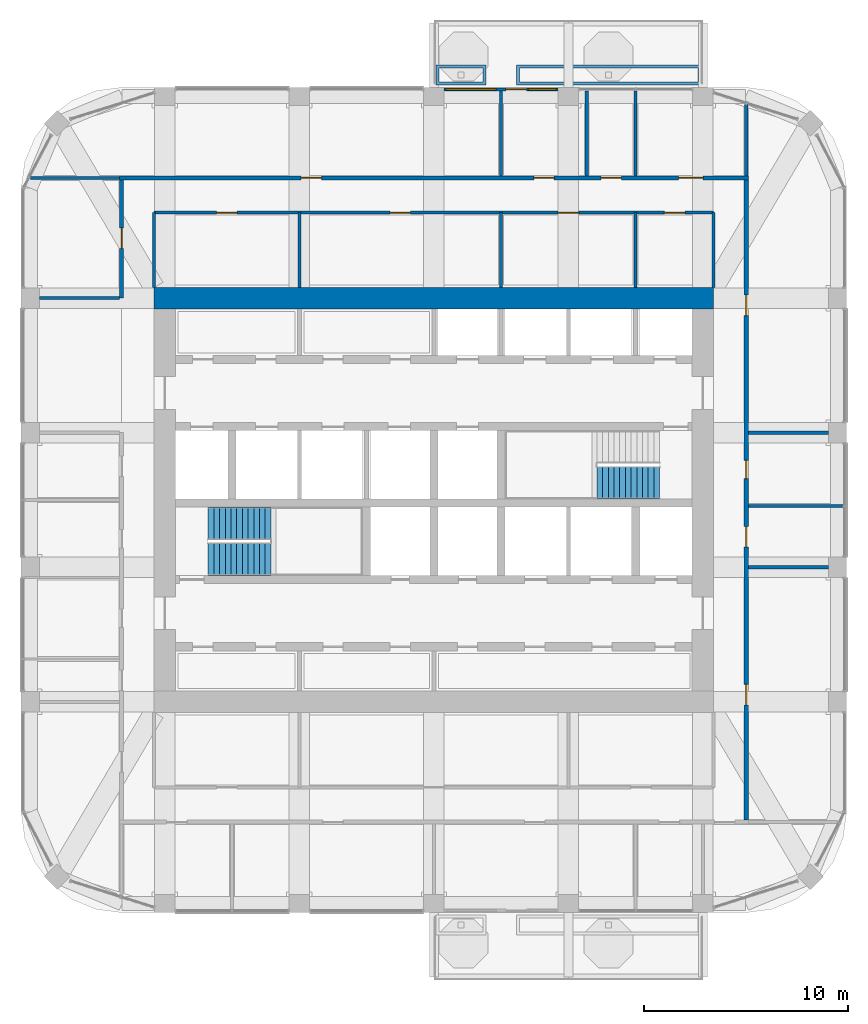
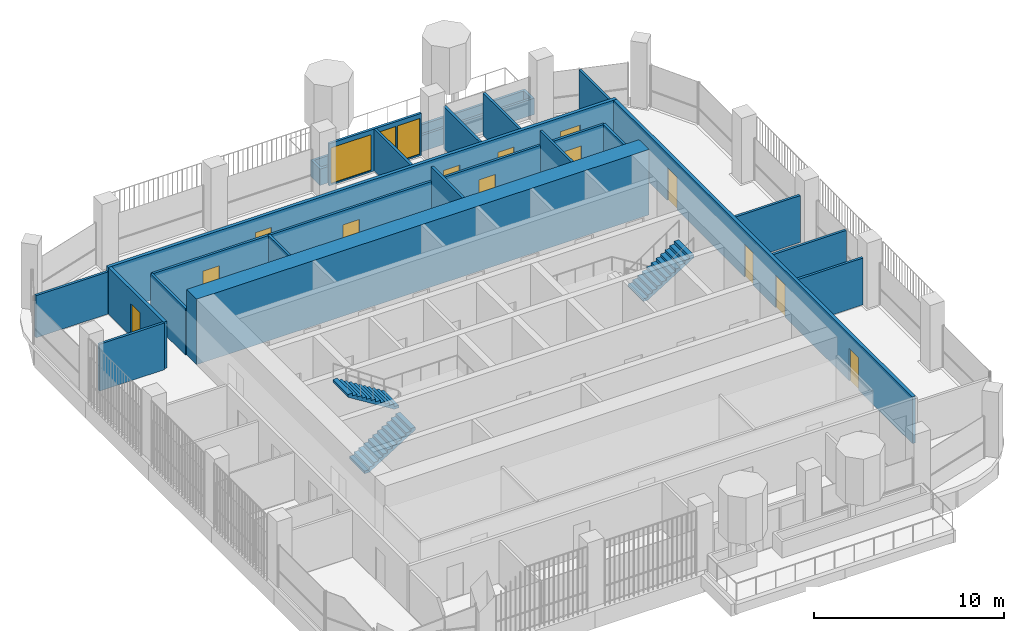
# One storey, part 16 of 21: 22 walls, 14 doors, 3 stair flights, 2 windows, 16 openings, 2 elements without a shape of their own.
"""IFC4 building model written with IfcOpenShell, lengths in metres."""

from ifc_helpers import new_model, si_unit, direction, frame, frame_2d, origin, place, context, subcontext, project, spatial, polyline, rectangle, outline, extrude, material, layer, layer_set, type_object, element, fill, aggregate, save


model = new_model("IFC4")

# Units and contexts
model_context = context("Model", 3, precision=1e-05, world=origin(), true_north=direction((0.0, 1.0)))
body_context = subcontext(model_context, "Body", "Model", "MODEL_VIEW")
ifc_project = project(units=[si_unit("LENGTHUNIT", "METRE"), si_unit("AREAUNIT", "SQUARE_METRE"), si_unit("VOLUMEUNIT", "CUBIC_METRE"), si_unit("PLANEANGLEUNIT", "RADIAN"), si_unit("MASSUNIT", "GRAM", prefix="KILO")], contexts=[model_context])

# Site, building, storey
site_placement = place(None, origin())
site = spatial("IfcSite", under=ifc_project, at=site_placement, CompositionType="ELEMENT")
building_placement = place(site_placement, origin())
building = spatial("IfcBuilding", under=site, at=building_placement, Name="Cobogo Forest Laboratory Tower", CompositionType="ELEMENT")
storey_placement = place(building_placement, frame((0.0, 0.0, 283.800048828125)))
storey = spatial("IfcBuildingStorey", under=building, at=storey_placement, Name="L65", CompositionType="ELEMENT", Elevation=283.800048828125)

# Wall
ifc_material_1 = material(Name="Concrete HA-50 (C50/60)", Category="concrete")
ifc_layer_1 = layer(ifc_material_1, 1.050048828125)
ifc_layer_set_1 = layer_set([ifc_layer_1], Name="CW1050 core outer wall 1050")
wall_type_1 = type_object("IfcWallType", Name="CW1050 core outer wall 1050", PredefinedType="SHEAR", material=ifc_layer_set_1)
wall_1_placement = place(storey_placement, frame((40.125, 33.0, 0.0), z_axis=(0.0, 0.0, 1.0), x_axis=(-1.0, 0.0, 0.0)))
element("IfcWall", 1, at=wall_1_placement, inside=storey, type_object=wall_type_1, Name="Core wall CO-N L65", PredefinedType="SHEAR", context=body_context, shape_type="SweptSolid", body=[
    extrude(rectangle(XDim=27.449951171875, YDim=1.050048828125, at=frame_2d((13.72509765625, 0.0))), origin(), (0.0, 0.0, 1.0), 4.199951171875),
])

# Wall, openings, door, windows
ifc_material_2 = material(Name="Aluminium framed glazed screen", Category="aluminium")
ifc_layer_2 = layer(ifc_material_2, 0.14990234375)
ifc_layer_set_2 = layer_set([ifc_layer_2], Name="GS1 glazed door screen 150")
wall_type_2 = type_object("IfcWallType", Name="GS1 glazed door screen 150", PredefinedType="SOLIDWALL", material=ifc_layer_set_2)
wall_2_placement = place(storey_placement, frame((32.5, 43.25, 0.0), z_axis=(0.0, 0.0, 1.0), x_axis=(-1.0, 0.0, 0.0)))
wall_2 = element("IfcWall", 2, at=wall_2_placement, inside=storey, type_object=wall_type_2, Name="Door screen BAL-N1 L65", PredefinedType="SOLIDWALL", context=body_context, shape_type="SweptSolid", body=[
    extrude(rectangle(XDim=5.60009765625, YDim=0.14990234375, at=frame_2d((2.800048828125, 0.0))), origin(), (0.0, 0.0, 1.0), 2.699951171875),
])
opening_1_placement = place(wall_2_placement, frame((1.550048828125, 0.0, 0.0)))
opening_1 = element("IfcOpeningElement", 3, at=opening_1_placement, cuts=wall_2, Name="Opening L65-D48", PredefinedType="OPENING", context=body_context, shape_type="SweptSolid", body=[
    extrude(rectangle(XDim=1.0, YDim=2.39990234375, at=frame_2d((0.5, 1.199951171875))), frame((0.0, 0.0849609375, 0.0), z_axis=(0.0, -1.0, 0.0), x_axis=(1.0, 0.0, 0.0)), (0.0, 0.0, 1.0), 0.169921875),
])
opening_2_placement = place(wall_2_placement, frame((0.10009765625, 0.0, 0.10009765625)))
opening_2 = element("IfcOpeningElement", 4, at=opening_2_placement, cuts=wall_2, Name="Opening L65-W04", PredefinedType="OPENING", context=body_context, shape_type="SweptSolid", body=[
    extrude(rectangle(XDim=1.35009765625, YDim=2.300048828125, at=frame_2d((0.675048828125, 1.14990234375))), frame((0.0, 0.0849609375, 0.0), z_axis=(0.0, -1.0, 0.0), x_axis=(1.0, 0.0, 0.0)), (0.0, 0.0, 1.0), 0.169921875),
])
opening_3_placement = place(wall_2_placement, frame((3.050048828125, 0.0, 0.10009765625)))
opening_3 = element("IfcOpeningElement", 5, at=opening_3_placement, cuts=wall_2, Name="Opening L65-W03", PredefinedType="OPENING", context=body_context, shape_type="SweptSolid", body=[
    extrude(rectangle(XDim=2.449951171875, YDim=2.300048828125, at=frame_2d((1.22509765625, 1.14990234375))), frame((0.0, 0.0849609375, 0.0), z_axis=(0.0, -1.0, 0.0), x_axis=(1.0, 0.0, 0.0)), (0.0, 0.0, 1.0), 0.169921875),
])
ifc_material_3 = material(Name="Aluminium glazed door", Category="aluminium")
door_type_1 = type_object("IfcDoorType", Name="DB1 balcony door 1000 glazed", OperationType="SINGLE_SWING_LEFT", PredefinedType="DOOR", material=ifc_material_3)
door_1_placement = place(opening_1_placement, origin())
door_1 = element("IfcDoor", 6, at=door_1_placement, inside=storey, type_object=door_type_1, Name="Door L65-BAL-N1", OperationType="SINGLE_SWING_LEFT", OverallHeight=2.39990234375, OverallWidth=1.0, PredefinedType="DOOR", context=body_context, shape_type="SweptSolid", body=[
    extrude(rectangle(XDim=1.0, YDim=2.39990234375, at=frame_2d((0.5, 1.199951171875))), frame((0.0, 0.02490234375, 0.0), z_axis=(0.0, -1.0, 0.0), x_axis=(1.0, 0.0, 0.0)), (0.0, 0.0, 1.0), 0.050048828125),
])
fill(opening_1, door_1)
ifc_material_4 = material(Name="Aluminium framed glazing", Category="aluminium")
window_type_1 = type_object("IfcWindowType", Name="WG23 fixed glazed light 2450x2300", PartitioningType="SINGLE_PANEL", PredefinedType="WINDOW", material=ifc_material_4)
window_1_placement = place(opening_3_placement, origin())
window_1 = element("IfcWindow", 7, at=window_1_placement, inside=storey, type_object=window_type_1, Name="Window L65-BAL-N1-2", OverallHeight=2.300048828125, OverallWidth=2.449951171875, PartitioningType="SINGLE_PANEL", PredefinedType="WINDOW", context=body_context, shape_type="SweptSolid", body=[
    extrude(rectangle(XDim=2.449951171875, YDim=2.300048828125, at=frame_2d((1.22509765625, 1.14990234375))), frame((0.0, 0.030029296875, 0.0), z_axis=(0.0, -1.0, 0.0), x_axis=(1.0, 0.0, 0.0)), (0.0, 0.0, 1.0), 0.06005859375),
])
fill(opening_3, window_1)
window_type_2 = type_object("IfcWindowType", Name="WG24 fixed glazed light 1350x2300", PartitioningType="SINGLE_PANEL", PredefinedType="WINDOW", material=ifc_material_4)
window_2_placement = place(opening_2_placement, origin())
window_2 = element("IfcWindow", 8, at=window_2_placement, inside=storey, type_object=window_type_2, Name="Window L65-BAL-N1-1", OverallHeight=2.300048828125, OverallWidth=1.35009765625, PartitioningType="SINGLE_PANEL", PredefinedType="WINDOW", context=body_context, shape_type="SweptSolid", body=[
    extrude(rectangle(XDim=1.35009765625, YDim=2.300048828125, at=frame_2d((0.675048828125, 1.14990234375))), frame((0.0, 0.030029296875, 0.0), z_axis=(0.0, -1.0, 0.0), x_axis=(1.0, 0.0, 0.0)), (0.0, 0.0, 1.0), 0.06005859375),
])
fill(opening_2, window_2)

# Wall, openings, doors
ifc_material_5 = material(Name="Gypsum board on steel studs", Category="steel")
ifc_layer_3 = layer(ifc_material_5, 0.14990234375)
ifc_layer_set_3 = layer_set([ifc_layer_3], Name="PT1 laboratory partition 150")
wall_type_3 = type_object("IfcWallType", Name="PT1 laboratory partition 150", PredefinedType="PARTITIONING", material=ifc_layer_set_3)
wall_3_placement = place(storey_placement, frame((12.675048828125, 37.199951171875, 0.0), z_axis=(0.0, 0.0, 1.0), x_axis=(1.0, 0.0, 0.0)))
wall_3 = element("IfcWall", 9, at=wall_3_placement, inside=storey, type_object=wall_type_3, Name="Partition CSTRIP-N L65", PredefinedType="PARTITIONING", context=body_context, shape_type="SweptSolid", body=[
    extrude(rectangle(XDim=27.449951171875, YDim=0.14990234375, at=frame_2d((13.72509765625, 0.0))), origin(), (0.0, 0.0, 1.0), 3.0),
])
opening_4_placement = place(wall_3_placement, frame((3.0625, 0.0, 0.0)))
opening_4 = element("IfcOpeningElement", 10, at=opening_4_placement, cuts=wall_3, Name="Opening L65-D40", PredefinedType="OPENING", context=body_context, shape_type="SweptSolid", body=[
    extrude(rectangle(XDim=1.0, YDim=2.10009765625, at=frame_2d((0.5, 1.050048828125))), frame((0.0, 0.0849609375, 0.0), z_axis=(0.0, -1.0, 0.0), x_axis=(1.0, 0.0, 0.0)), (0.0, 0.0, 1.0), 0.169921875),
])
opening_5_placement = place(wall_3_placement, frame((11.574951171875, 0.0, 0.0)))
opening_5 = element("IfcOpeningElement", 11, at=opening_5_placement, cuts=wall_3, Name="Opening L65-D41", PredefinedType="OPENING", context=body_context, shape_type="SweptSolid", body=[
    extrude(rectangle(XDim=1.0, YDim=2.10009765625, at=frame_2d((0.5, 1.050048828125))), frame((0.0, 0.0849609375, 0.0), z_axis=(0.0, -1.0, 0.0), x_axis=(1.0, 0.0, 0.0)), (0.0, 0.0, 1.0), 0.169921875),
])
opening_6_placement = place(wall_3_placement, frame((19.824951171875, 0.0, 0.0)))
opening_6 = element("IfcOpeningElement", 12, at=opening_6_placement, cuts=wall_3, Name="Opening L65-D42", PredefinedType="OPENING", context=body_context, shape_type="SweptSolid", body=[
    extrude(rectangle(XDim=1.0, YDim=2.10009765625, at=frame_2d((0.5, 1.050048828125))), frame((0.0, 0.0849609375, 0.0), z_axis=(0.0, -1.0, 0.0), x_axis=(1.0, 0.0, 0.0)), (0.0, 0.0, 1.0), 0.169921875),
])
opening_7_placement = place(wall_3_placement, frame((25.03759765625, 0.0, 0.0)))
opening_7 = element("IfcOpeningElement", 13, at=opening_7_placement, cuts=wall_3, Name="Opening L65-D43", PredefinedType="OPENING", context=body_context, shape_type="SweptSolid", body=[
    extrude(rectangle(XDim=1.0, YDim=2.10009765625, at=frame_2d((0.5, 1.050048828125))), frame((0.0, 0.0849609375, 0.0), z_axis=(0.0, -1.0, 0.0), x_axis=(1.0, 0.0, 0.0)), (0.0, 0.0, 1.0), 0.169921875),
])
ifc_material_6 = material(Name="Timber fire door", Category="wood")
door_type_2 = type_object("IfcDoorType", Name="FD2 fire door 1000 EI2 30", OperationType="SINGLE_SWING_LEFT", PredefinedType="DOOR", material=ifc_material_6)
door_2_placement = place(opening_4_placement, origin())
door_2 = element("IfcDoor", 14, at=door_2_placement, inside=storey, type_object=door_type_2, Name="Door L65-CSN1", OperationType="SINGLE_SWING_LEFT", OverallHeight=2.10009765625, OverallWidth=1.0, PredefinedType="DOOR", context=body_context, shape_type="SweptSolid", body=[
    extrude(rectangle(XDim=1.0, YDim=2.10009765625, at=frame_2d((0.5, 1.050048828125))), frame((0.0, 0.02490234375, 0.0), z_axis=(0.0, -1.0, 0.0), x_axis=(1.0, 0.0, 0.0)), (0.0, 0.0, 1.0), 0.050048828125),
])
fill(opening_4, door_2)
door_3_placement = place(opening_5_placement, origin())
door_3 = element("IfcDoor", 15, at=door_3_placement, inside=storey, type_object=door_type_2, Name="Door L65-CSN2", OperationType="SINGLE_SWING_LEFT", OverallHeight=2.10009765625, OverallWidth=1.0, PredefinedType="DOOR", context=body_context, shape_type="SweptSolid", body=[
    extrude(rectangle(XDim=1.0, YDim=2.10009765625, at=frame_2d((0.5, 1.050048828125))), frame((0.0, 0.02490234375, 0.0), z_axis=(0.0, -1.0, 0.0), x_axis=(1.0, 0.0, 0.0)), (0.0, 0.0, 1.0), 0.050048828125),
])
fill(opening_5, door_3)
door_4_placement = place(opening_6_placement, origin())
door_4 = element("IfcDoor", 16, at=door_4_placement, inside=storey, type_object=door_type_2, Name="Door L65-CSN3", OperationType="SINGLE_SWING_RIGHT", OverallHeight=2.10009765625, OverallWidth=1.0, PredefinedType="DOOR", context=body_context, shape_type="SweptSolid", body=[
    extrude(rectangle(XDim=1.0, YDim=2.10009765625, at=frame_2d((0.5, 1.050048828125))), frame((0.0, 0.02490234375, 0.0), z_axis=(0.0, -1.0, 0.0), x_axis=(1.0, 0.0, 0.0)), (0.0, 0.0, 1.0), 0.050048828125),
])
fill(opening_6, door_4)
door_5_placement = place(opening_7_placement, origin())
door_5 = element("IfcDoor", 17, at=door_5_placement, inside=storey, type_object=door_type_2, Name="Door L65-CSN4", OperationType="SINGLE_SWING_RIGHT", OverallHeight=2.10009765625, OverallWidth=1.0, PredefinedType="DOOR", context=body_context, shape_type="SweptSolid", body=[
    extrude(rectangle(XDim=1.0, YDim=2.10009765625, at=frame_2d((0.5, 1.050048828125))), frame((0.0, 0.02490234375, 0.0), z_axis=(0.0, -1.0, 0.0), x_axis=(1.0, 0.0, 0.0)), (0.0, 0.0, 1.0), 0.050048828125),
])
fill(opening_7, door_5)

# Walls
for number, where, z_axis, x_axis, name in (
    (18, (12.675048828125, 33.52490234375, 0.0), (0.0, 0.0, 1.0), (0.0, 1.0, 0.0), "Partition CSTRIP-NW L65"),
    (19, (40.125, 33.52490234375, 0.0), (0.0, 0.0, 1.0), (0.0, 1.0, 0.0), "Partition CSTRIP-NE L65"),
    (20, (19.800048828125, 33.52490234375, 0.0), (0.0, 0.0, 1.0), (0.0, 1.0, 0.0), "Partition CSTRIP-N19.8 L65"),
):
    element("IfcWall", number, at=place(storey_placement, frame(where, z_axis=z_axis, x_axis=x_axis)), inside=storey, type_object=wall_type_3, Name=name, PredefinedType="PARTITIONING", context=body_context, shape_type="SweptSolid", body=[
        extrude(rectangle(XDim=3.675048828125, YDim=0.14990234375, at=frame_2d((1.83740234375, 0.0))), origin(), (0.0, 0.0, 1.0), 3.0),
    ])
for number, where, z_axis, x_axis, name in (
    (21, (29.699951171875, 33.52490234375, 0.0), (0.0, 0.0, 1.0), (0.0, 1.0, 0.0), "Partition CSTRIP-N29.7 L65"),
    (22, (36.300048828125, 33.52490234375, 0.0), (0.0, 0.0, 1.0), (0.0, 1.0, 0.0), "Partition CSTRIP-N36.3 L65"),
):
    element("IfcWall", number, at=place(storey_placement, frame(where, z_axis=z_axis, x_axis=x_axis)), inside=storey, type_object=wall_type_3, Name=name, PredefinedType="PARTITIONING", context=body_context, shape_type="SweptSolid", body=[
        extrude(rectangle(XDim=3.675048828125, YDim=0.14990234375, at=frame_2d((1.83740234375, 0.0))), origin(), (0.0, 0.0, 1.0), 3.89990234375),
    ])
wall_4_placement = place(storey_placement, frame((41.72509765625, 42.4951171875, 0.0), z_axis=(0.0, 0.0, 1.0), x_axis=(0.0, -1.0, 0.0)))
element("IfcWall", 23, at=wall_4_placement, inside=storey, type_object=wall_type_3, Name="Partition PW-NE L65", PredefinedType="PARTITIONING", context=body_context, shape_type="SweptSolid", body=[
    extrude(rectangle(XDim=3.4951171875, YDim=0.14990234375, at=frame_2d((1.74755859375, 0.0))), origin(), (0.0, 0.0, 1.0), 2.699951171875),
])
wall_5_placement = place(storey_placement, frame((6.6025390625, 38.89990234375, 0.0), z_axis=(0.0, 0.0, 1.0), x_axis=(1.0, 0.0, 0.0)))
element("IfcWall", 24, at=wall_5_placement, inside=storey, type_object=wall_type_3, Name="Partition PW-NW L65", PredefinedType="PARTITIONING", context=body_context, shape_type="SweptSolid", body=[
    extrude(rectangle(XDim=4.37255859375, YDim=0.14990234375, at=frame_2d((2.186279296875, 0.0))), origin(), (0.0, 0.0, 1.0), 2.699951171875),
])
wall_6_placement = place(storey_placement, frame((46.469970703125, 22.800048828125, 0.0), z_axis=(0.0, 0.0, 1.0), x_axis=(-1.0, 0.0, 0.0)))
element("IfcWall", 25, at=wall_6_placement, inside=storey, type_object=wall_type_3, Name="Partition SVC-E1-1 L65", PredefinedType="PARTITIONING", context=body_context, shape_type="SweptSolid", body=[
    extrude(rectangle(XDim=4.64501953125, YDim=0.14990234375, at=frame_2d((2.322509765625, 0.0))), origin(), (0.0, 0.0, 1.0), 2.699951171875),
])
for number, where, z_axis, x_axis, name in (
    (26, (45.75, 26.39990234375, 0.0), (0.0, 0.0, 1.0), (-1.0, 0.0, 0.0), "Partition SVC-E2-1 L65"),
    (27, (45.75, 19.800048828125, 0.0), (0.0, 0.0, 1.0), (-1.0, 0.0, 0.0), "Partition CUT-E19.8-1 L65"),
):
    element("IfcWall", number, at=place(storey_placement, frame(where, z_axis=z_axis, x_axis=x_axis)), inside=storey, type_object=wall_type_3, Name=name, PredefinedType="PARTITIONING", context=body_context, shape_type="SweptSolid", body=[
        extrude(rectangle(XDim=3.925048828125, YDim=0.14990234375, at=frame_2d((1.96240234375, 0.0))), origin(), (0.0, 0.0, 1.0), 3.0),
    ])
for number, where, z_axis, x_axis, name in (
    (28, (33.89990234375, 43.169921875, 0.0), (0.0, 0.0, 1.0), (0.0, -1.0, 0.0), "Partition SVC-N1-1 L65"),
    (29, (29.699951171875, 43.169921875, 0.0), (0.0, 0.0, 1.0), (0.0, -1.0, 0.0), "Partition CUT-N29.7-1 L65"),
    (30, (36.300048828125, 43.169921875, 0.0), (0.0, 0.0, 1.0), (0.0, -1.0, 0.0), "Partition CUT-N36.3-1 L65"),
):
    element("IfcWall", number, at=place(storey_placement, frame(where, z_axis=z_axis, x_axis=x_axis)), inside=storey, type_object=wall_type_3, Name=name, PredefinedType="PARTITIONING", context=body_context, shape_type="SweptSolid", body=[
        extrude(rectangle(XDim=4.169921875, YDim=0.14990234375, at=frame_2d((2.0849609375, 0.0))), origin(), (0.0, 0.0, 1.0), 2.699951171875),
    ])
wall_7_placement = place(storey_placement, frame((7.050048828125, 33.0, 0.0), z_axis=(0.0, 0.0, 1.0), x_axis=(1.0, 0.0, 0.0)))
element("IfcWall", 31, at=wall_7_placement, inside=storey, type_object=wall_type_3, Name="Partition CUT-W33-1 L65", PredefinedType="PARTITIONING", context=body_context, shape_type="SweptSolid", body=[
    extrude(rectangle(XDim=3.925048828125, YDim=0.14990234375, at=frame_2d((1.96240234375, 0.0))), origin(), (0.0, 0.0, 1.0), 3.0),
])

# Wall, openings, doors
ifc_layer_4 = layer(ifc_material_5, 0.199951171875)
ifc_layer_set_4 = layer_set([ifc_layer_4], Name="PT2 fire-rated corridor partition 200")
wall_type_4 = type_object("IfcWallType", Name="PT2 fire-rated corridor partition 200", PredefinedType="PARTITIONING", material=ifc_layer_set_4)
wall_8_placement = place(storey_placement, frame((10.97509765625, 38.89990234375, 0.0), z_axis=(0.0, 0.0, 1.0), x_axis=(1.0, 0.0, 0.0)))
wall_8 = element("IfcWall", 32, at=wall_8_placement, inside=storey, type_object=wall_type_4, Name="Partition CORR-N L65", PredefinedType="PARTITIONING", context=body_context, shape_type="SweptSolid", body=[
    extrude(rectangle(XDim=30.849853515625, YDim=0.199951171875, at=frame_2d((15.4248046875, 0.0))), origin(), (0.0, 0.0, 1.0), 3.0),
])
opening_8_placement = place(wall_8_placement, frame((8.91259765625, 0.0, 0.0)))
opening_8 = element("IfcOpeningElement", 33, at=opening_8_placement, cuts=wall_8, Name="Opening L65-D44", PredefinedType="OPENING", context=body_context, shape_type="SweptSolid", body=[
    extrude(rectangle(XDim=1.0, YDim=2.10009765625, at=frame_2d((0.5, 1.050048828125))), frame((0.0, 0.10986328125, 0.0), z_axis=(0.0, -1.0, 0.0), x_axis=(1.0, 0.0, 0.0)), (0.0, 0.0, 1.0), 0.219970703125),
])
opening_9_placement = place(wall_8_placement, frame((20.324951171875, 0.0, 0.0)))
opening_9 = element("IfcOpeningElement", 34, at=opening_9_placement, cuts=wall_8, Name="Opening L65-D45", PredefinedType="OPENING", context=body_context, shape_type="SweptSolid", body=[
    extrude(rectangle(XDim=1.0, YDim=2.10009765625, at=frame_2d((0.5, 1.050048828125))), frame((0.0, 0.10986328125, 0.0), z_axis=(0.0, -1.0, 0.0), x_axis=(1.0, 0.0, 0.0)), (0.0, 0.0, 1.0), 0.219970703125),
])
opening_10_placement = place(wall_8_placement, frame((23.625, 0.0, 0.0)))
opening_10 = element("IfcOpeningElement", 35, at=opening_10_placement, cuts=wall_8, Name="Opening L65-D46", PredefinedType="OPENING", context=body_context, shape_type="SweptSolid", body=[
    extrude(rectangle(XDim=1.0, YDim=2.10009765625, at=frame_2d((0.5, 1.050048828125))), frame((0.0, 0.10986328125, 0.0), z_axis=(0.0, -1.0, 0.0), x_axis=(1.0, 0.0, 0.0)), (0.0, 0.0, 1.0), 0.219970703125),
])
opening_11_placement = place(wall_8_placement, frame((27.4375, 0.0, 0.0)))
opening_11 = element("IfcOpeningElement", 36, at=opening_11_placement, cuts=wall_8, Name="Opening L65-D47", PredefinedType="OPENING", context=body_context, shape_type="SweptSolid", body=[
    extrude(rectangle(XDim=1.199951171875, YDim=2.10009765625, at=frame_2d((0.60009765625, 1.050048828125))), frame((0.0, 0.10986328125, 0.0), z_axis=(0.0, -1.0, 0.0), x_axis=(1.0, 0.0, 0.0)), (0.0, 0.0, 1.0), 0.219970703125),
])
ifc_material_7 = material(Name="Timber door", Category="wood")
door_type_3 = type_object("IfcDoorType", Name="D2 laboratory door 1200 unequal pair", OperationType="DOUBLE_DOOR_SINGLE_SWING", PredefinedType="DOOR", material=ifc_material_7)
door_6_placement = place(opening_11_placement, origin())
door_6 = element("IfcDoor", 37, at=door_6_placement, inside=storey, type_object=door_type_3, Name="Door L65-N3", OperationType="DOUBLE_DOOR_SINGLE_SWING", OverallHeight=2.10009765625, OverallWidth=1.199951171875, PredefinedType="DOOR", context=body_context, shape_type="SweptSolid", body=[
    extrude(rectangle(XDim=1.199951171875, YDim=2.10009765625, at=frame_2d((0.60009765625, 1.050048828125))), frame((0.0, 0.02490234375, 0.0), z_axis=(0.0, -1.0, 0.0), x_axis=(1.0, 0.0, 0.0)), (0.0, 0.0, 1.0), 0.050048828125),
])
fill(opening_11, door_6)
door_7_placement = place(opening_8_placement, origin())
door_7 = element("IfcDoor", 38, at=door_7_placement, inside=storey, type_object=door_type_2, Name="Door L65-N1", OperationType="SINGLE_SWING_LEFT", OverallHeight=2.10009765625, OverallWidth=1.0, PredefinedType="DOOR", context=body_context, shape_type="SweptSolid", body=[
    extrude(rectangle(XDim=1.0, YDim=2.10009765625, at=frame_2d((0.5, 1.050048828125))), frame((0.0, 0.02490234375, 0.0), z_axis=(0.0, -1.0, 0.0), x_axis=(1.0, 0.0, 0.0)), (0.0, 0.0, 1.0), 0.050048828125),
])
fill(opening_8, door_7)
door_8_placement = place(opening_9_placement, origin())
door_8 = element("IfcDoor", 39, at=door_8_placement, inside=storey, type_object=door_type_2, Name="Door L65-MTG", OperationType="SINGLE_SWING_RIGHT", OverallHeight=2.10009765625, OverallWidth=1.0, PredefinedType="DOOR", context=body_context, shape_type="SweptSolid", body=[
    extrude(rectangle(XDim=1.0, YDim=2.10009765625, at=frame_2d((0.5, 1.050048828125))), frame((0.0, 0.02490234375, 0.0), z_axis=(0.0, -1.0, 0.0), x_axis=(1.0, 0.0, 0.0)), (0.0, 0.0, 1.0), 0.050048828125),
])
fill(opening_9, door_8)
door_9_placement = place(opening_10_placement, origin())
door_9 = element("IfcDoor", 40, at=door_9_placement, inside=storey, type_object=door_type_2, Name="Door L65-PAN", OperationType="SINGLE_SWING_RIGHT", OverallHeight=2.10009765625, OverallWidth=1.0, PredefinedType="DOOR", context=body_context, shape_type="SweptSolid", body=[
    extrude(rectangle(XDim=1.0, YDim=2.10009765625, at=frame_2d((0.5, 1.050048828125))), frame((0.0, 0.02490234375, 0.0), z_axis=(0.0, -1.0, 0.0), x_axis=(1.0, 0.0, 0.0)), (0.0, 0.0, 1.0), 0.050048828125),
])
fill(opening_10, door_9)

# Wall, opening, door
wall_9_placement = place(storey_placement, frame((11.074951171875, 33.0, 0.0), z_axis=(0.0, 0.0, 1.0), x_axis=(0.0, 1.0, 0.0)))
wall_9 = element("IfcWall", 41, at=wall_9_placement, inside=storey, type_object=wall_type_4, Name="Partition CORR-W-2 L65", PredefinedType="PARTITIONING", context=body_context, shape_type="SweptSolid", body=[
    extrude(rectangle(XDim=5.800048828125, YDim=0.199951171875, at=frame_2d((2.89990234375, 0.0))), origin(), (0.0, 0.0, 1.0), 3.0),
])
opening_12_placement = place(wall_9_placement, frame((2.449951171875, 0.0, 0.0)))
opening_12 = element("IfcOpeningElement", 42, at=opening_12_placement, cuts=wall_9, Name="Opening L65-D39", PredefinedType="OPENING", context=body_context, shape_type="SweptSolid", body=[
    extrude(rectangle(XDim=1.0, YDim=2.10009765625, at=frame_2d((0.5, 1.050048828125))), frame((0.0, 0.10986328125, 0.0), z_axis=(0.0, -1.0, 0.0), x_axis=(1.0, 0.0, 0.0)), (0.0, 0.0, 1.0), 0.219970703125),
])
door_10_placement = place(opening_12_placement, origin())
door_10 = element("IfcDoor", 43, at=door_10_placement, inside=storey, type_object=door_type_2, Name="Door L65-W4", OperationType="SINGLE_SWING_RIGHT", OverallHeight=2.10009765625, OverallWidth=1.0, PredefinedType="DOOR", context=body_context, shape_type="SweptSolid", body=[
    extrude(rectangle(XDim=1.0, YDim=2.10009765625, at=frame_2d((0.5, 1.050048828125))), frame((0.0, 0.02490234375, 0.0), z_axis=(0.0, -1.0, 0.0), x_axis=(1.0, 0.0, 0.0)), (0.0, 0.0, 1.0), 0.050048828125),
])
fill(opening_12, door_10)

# Wall, openings, doors
wall_10_placement = place(storey_placement, frame((41.72509765625, 7.39990234375, 0.0), z_axis=(0.0, 0.0, 1.0), x_axis=(0.0, 1.0, 0.0)))
wall_10 = element("IfcWall", 44, at=wall_10_placement, inside=storey, type_object=wall_type_4, Name="Partition CORR-E L65", PredefinedType="PARTITIONING", context=body_context, shape_type="SweptSolid", body=[
    extrude(rectangle(XDim=31.400146484375, YDim=0.199951171875, at=frame_2d((15.7001953125, 0.0))), origin(), (0.0, 0.0, 1.0), 3.0),
])
opening_13_placement = place(wall_10_placement, frame((5.64990234375, 0.0, 0.0)))
opening_13 = element("IfcOpeningElement", 45, at=opening_13_placement, cuts=wall_10, Name="Opening L65-D11", PredefinedType="OPENING", context=body_context, shape_type="SweptSolid", body=[
    extrude(rectangle(XDim=1.0, YDim=2.10009765625, at=frame_2d((0.5, 1.050048828125))), frame((0.0, 0.10986328125, 0.0), z_axis=(0.0, -1.0, 0.0), x_axis=(1.0, 0.0, 0.0)), (0.0, 0.0, 1.0), 0.219970703125),
])
opening_14_placement = place(wall_10_placement, frame((13.39990234375, 0.0, 0.0)))
opening_14 = element("IfcOpeningElement", 46, at=opening_14_placement, cuts=wall_10, Name="Opening L65-D28", PredefinedType="OPENING", context=body_context, shape_type="SweptSolid", body=[
    extrude(rectangle(XDim=1.0, YDim=2.10009765625, at=frame_2d((0.5, 1.050048828125))), frame((0.0, 0.10986328125, 0.0), z_axis=(0.0, -1.0, 0.0), x_axis=(1.0, 0.0, 0.0)), (0.0, 0.0, 1.0), 0.219970703125),
])
opening_15_placement = place(wall_10_placement, frame((16.75, 0.0, 0.0)))
opening_15 = element("IfcOpeningElement", 47, at=opening_15_placement, cuts=wall_10, Name="Opening L65-D29", PredefinedType="OPENING", context=body_context, shape_type="SweptSolid", body=[
    extrude(rectangle(XDim=0.89990234375, YDim=2.10009765625, at=frame_2d((0.449951171875, 1.050048828125))), frame((0.0, 0.10986328125, 0.0), z_axis=(0.0, -1.0, 0.0), x_axis=(1.0, 0.0, 0.0)), (0.0, 0.0, 1.0), 0.219970703125),
])
opening_16_placement = place(wall_10_placement, frame((24.75, 0.0, 0.0)))
opening_16 = element("IfcOpeningElement", 48, at=opening_16_placement, cuts=wall_10, Name="Opening L65-D38", PredefinedType="OPENING", context=body_context, shape_type="SweptSolid", body=[
    extrude(rectangle(XDim=1.0, YDim=2.10009765625, at=frame_2d((0.5, 1.050048828125))), frame((0.0, 0.10986328125, 0.0), z_axis=(0.0, -1.0, 0.0), x_axis=(1.0, 0.0, 0.0)), (0.0, 0.0, 1.0), 0.219970703125),
])
ifc_material_8 = material(Name="Steel fire door", Category="steel")
door_type_4 = type_object("IfcDoorType", Name="FD1 fire door 1000 EI2 60", OperationType="SINGLE_SWING_LEFT", PredefinedType="DOOR", material=ifc_material_8)
door_11_placement = place(opening_14_placement, origin())
door_11 = element("IfcDoor", 49, at=door_11_placement, inside=storey, type_object=door_type_4, Name="Door L65-ELEC", OperationType="SINGLE_SWING_LEFT", OverallHeight=2.10009765625, OverallWidth=1.0, PredefinedType="DOOR", context=body_context, shape_type="SweptSolid", body=[
    extrude(rectangle(XDim=1.0, YDim=2.10009765625, at=frame_2d((0.5, 1.050048828125))), frame((0.0, 0.02490234375, 0.0), z_axis=(0.0, -1.0, 0.0), x_axis=(1.0, 0.0, 0.0)), (0.0, 0.0, 1.0), 0.050048828125),
])
fill(opening_14, door_11)
door_12_placement = place(opening_13_placement, origin())
door_12 = element("IfcDoor", 50, at=door_12_placement, inside=storey, type_object=door_type_2, Name="Door L65-E1", OperationType="SINGLE_SWING_LEFT", OverallHeight=2.10009765625, OverallWidth=1.0, PredefinedType="DOOR", context=body_context, shape_type="SweptSolid", body=[
    extrude(rectangle(XDim=1.0, YDim=2.10009765625, at=frame_2d((0.5, 1.050048828125))), frame((0.0, 0.02490234375, 0.0), z_axis=(0.0, -1.0, 0.0), x_axis=(1.0, 0.0, 0.0)), (0.0, 0.0, 1.0), 0.050048828125),
])
fill(opening_13, door_12)
door_13_placement = place(opening_16_placement, origin())
door_13 = element("IfcDoor", 51, at=door_13_placement, inside=storey, type_object=door_type_2, Name="Door L65-E2", OperationType="SINGLE_SWING_RIGHT", OverallHeight=2.10009765625, OverallWidth=1.0, PredefinedType="DOOR", context=body_context, shape_type="SweptSolid", body=[
    extrude(rectangle(XDim=1.0, YDim=2.10009765625, at=frame_2d((0.5, 1.050048828125))), frame((0.0, 0.02490234375, 0.0), z_axis=(0.0, -1.0, 0.0), x_axis=(1.0, 0.0, 0.0)), (0.0, 0.0, 1.0), 0.050048828125),
])
fill(opening_16, door_13)
door_type_5 = type_object("IfcDoorType", Name="FD4 riser access door 900 EI2 60", OperationType="SINGLE_SWING_LEFT", PredefinedType="DOOR", material=ifc_material_8)
door_14_placement = place(opening_15_placement, origin())
door_14 = element("IfcDoor", 52, at=door_14_placement, inside=storey, type_object=door_type_5, Name="Door L65-COMMS", OperationType="SINGLE_SWING_RIGHT", OverallHeight=2.10009765625, OverallWidth=0.89990234375, PredefinedType="DOOR", context=body_context, shape_type="SweptSolid", body=[
    extrude(rectangle(XDim=0.89990234375, YDim=2.10009765625, at=frame_2d((0.449951171875, 1.050048828125))), frame((0.0, 0.02490234375, 0.0), z_axis=(0.0, -1.0, 0.0), x_axis=(1.0, 0.0, 0.0)), (0.0, 0.0, 1.0), 0.050048828125),
])
fill(opening_15, door_14)

# Walls
ifc_material_9 = material(Name="Concrete HA-40 (C40/50)", Category="concrete")
ifc_layer_5 = layer(ifc_material_9, 0.14990234375)
ifc_layer_set_5 = layer_set([ifc_layer_5], Name="Planter box 1000x1050")
wall_type_5 = type_object("IfcWallType", Name="Planter box 1000x1050", PredefinedType="USERDEFINED", material=ifc_layer_set_5)
wall_11_placement = place(storey_placement, origin())
element("IfcWall", 53, at=wall_11_placement, inside=storey, type_object=wall_type_5, Name="Planter BAL-N1-1 L65", ObjectType="PLANTER", PredefinedType="USERDEFINED", context=body_context, shape_type="SweptSolid", body=[
    extrude(outline(polyline([(26.5, 43.449951171875), (28.949951171875, 43.449951171875), (28.949951171875, 44.449951171875), (26.5, 44.449951171875), (26.5, 43.449951171875)]), holes=[polyline([(26.64990234375, 43.60009765625), (28.800048828125, 43.60009765625), (28.800048828125, 44.300048828125), (26.64990234375, 44.300048828125), (26.64990234375, 43.60009765625)])]), origin(), (0.0, 0.0, 1.0), 1.050048828125),
])
wall_12_placement = place(storey_placement, origin())
element("IfcWall", 54, at=wall_12_placement, inside=storey, type_object=wall_type_5, Name="Planter BAL-N1-2 L65", ObjectType="PLANTER", PredefinedType="USERDEFINED", context=body_context, shape_type="SweptSolid", body=[
    extrude(outline(polyline([(30.449951171875, 43.449951171875), (39.5, 43.449951171875), (39.5, 44.449951171875), (30.449951171875, 44.449951171875), (30.449951171875, 43.449951171875)]), holes=[polyline([(30.60009765625, 43.60009765625), (39.35009765625, 43.60009765625), (39.35009765625, 44.300048828125), (30.60009765625, 44.300048828125), (30.60009765625, 43.60009765625)])]), origin(), (0.0, 0.0, 1.0), 1.050048828125),
])

# Stair, stair flights
ifc_material_10 = material(Name="Precast concrete HA-40 (C40/50)", Category="concrete")
stair_type = type_object("IfcStairType", Name="ST24 exit stair 24 risers", PredefinedType="HALF_TURN_STAIR", material=ifc_material_10)
stair_1_placement = place(storey_placement, origin())
stair_1 = element("IfcStair", 55, at=stair_1_placement, inside=storey, type_object=stair_type, Name="Stair 1 L65 to L66", PredefinedType="HALF_TURN_STAIR")
stair_flight_type = type_object("IfcStairFlightType", Name="ST stair flight 280 going", PredefinedType="STRAIGHT", material=ifc_material_10)
stair_flight_1_placement = place(storey_placement, frame((15.324951171875, 20.199951171875, 0.0), z_axis=(0.0, 0.0, 1.0), x_axis=(1.0, 0.0, 0.0)))
stair_flight_1 = element("IfcStairFlight", 56, at=stair_flight_1_placement, type_object=stair_flight_type, Name="ST1 flight 1", NumberOfRisers=12, NumberOfTreads=11, PredefinedType="STRAIGHT", RiserHeight=0.175, TreadLength=0.28, context=body_context, shape_type="SweptSolid", body=[
    extrude(outline(polyline([(0.0, 0.0), (0.0, 0.175048828125), (0.280029296875, 0.175048828125), (0.280029296875, 0.35009765625), (0.56005859375, 0.35009765625), (0.56005859375, 0.52490234375), (0.840087890625, 0.52490234375), (0.840087890625, 0.699951171875), (1.1201171875, 0.699951171875), (1.1201171875, 0.875), (1.39990234375, 0.875), (1.39990234375, 1.050048828125), (1.679931640625, 1.050048828125), (1.679931640625, 1.22509765625), (1.9599609375, 1.22509765625), (1.9599609375, 1.39990234375), (2.239990234375, 1.39990234375), (2.239990234375, 1.574951171875), (2.52001953125, 1.574951171875), (2.52001953125, 1.75), (2.800048828125, 1.75), (2.800048828125, 1.925048828125), (3.080078125, 1.925048828125), (3.080078125, 2.10009765625), (3.080078125, 1.748291015625), (0.28271484375, 0.0), (0.0, 0.0)])), frame((0.0, 0.800048828125, 0.0), z_axis=(0.0, -1.0, 0.0), x_axis=(1.0, 0.0, 0.0)), (0.0, 0.0, 1.0), 1.60009765625),
])
stair_flight_2_placement = place(storey_placement, frame((18.405029296875, 21.949951171875, 2.099853515625), z_axis=(0.0, 0.0, 1.0), x_axis=(-1.0, 0.0, 0.0)))
stair_flight_2 = element("IfcStairFlight", 57, at=stair_flight_2_placement, type_object=stair_flight_type, Name="ST1 flight 2", NumberOfRisers=12, NumberOfTreads=11, PredefinedType="STRAIGHT", RiserHeight=0.175, TreadLength=0.28, context=body_context, shape_type="SweptSolid", body=[
    extrude(outline(polyline([(0.0, 0.0), (0.0, 0.175048828125), (0.280029296875, 0.175048828125), (0.280029296875, 0.35009765625), (0.56005859375, 0.35009765625), (0.56005859375, 0.52490234375), (0.840087890625, 0.52490234375), (0.840087890625, 0.699951171875), (1.1201171875, 0.699951171875), (1.1201171875, 0.875), (1.39990234375, 0.875), (1.39990234375, 1.050048828125), (1.679931640625, 1.050048828125), (1.679931640625, 1.22509765625), (1.9599609375, 1.22509765625), (1.9599609375, 1.39990234375), (2.239990234375, 1.39990234375), (2.239990234375, 1.574951171875), (2.52001953125, 1.574951171875), (2.52001953125, 1.75), (2.800048828125, 1.75), (2.800048828125, 1.925048828125), (3.080078125, 1.925048828125), (3.080078125, 2.10009765625), (3.080078125, 1.748291015625), (0.28271484375, 0.0), (0.0, 0.0)])), frame((0.0, 0.800048828125, 0.0), z_axis=(0.0, -1.0, 0.0), x_axis=(1.0, 0.0, 0.0)), (0.0, 0.0, 1.0), 1.60009765625),
])
aggregate(stair_1, [stair_flight_1, stair_flight_2])

# Stair, stair flight
stair_2_placement = place(storey_placement, origin())
stair_2 = element("IfcStair", 58, at=stair_2_placement, inside=storey, type_object=stair_type, Name="Stair 2 L65 to L66", PredefinedType="HALF_TURN_STAIR")
stair_flight_3_placement = place(storey_placement, frame((34.39501953125, 23.949951171875, 2.099853515625), z_axis=(0.0, 0.0, 1.0), x_axis=(1.0, 0.0, 0.0)))
stair_flight_3 = element("IfcStairFlight", 59, at=stair_flight_3_placement, type_object=stair_flight_type, Name="ST2 flight 2", NumberOfRisers=12, NumberOfTreads=11, PredefinedType="STRAIGHT", RiserHeight=0.175, TreadLength=0.28, context=body_context, shape_type="SweptSolid", body=[
    extrude(outline(polyline([(0.0, 0.0), (0.0, 0.175048828125), (0.280029296875, 0.175048828125), (0.280029296875, 0.35009765625), (0.56005859375, 0.35009765625), (0.56005859375, 0.52490234375), (0.840087890625, 0.52490234375), (0.840087890625, 0.699951171875), (1.1201171875, 0.699951171875), (1.1201171875, 0.875), (1.39990234375, 0.875), (1.39990234375, 1.050048828125), (1.679931640625, 1.050048828125), (1.679931640625, 1.22509765625), (1.9599609375, 1.22509765625), (1.9599609375, 1.39990234375), (2.239990234375, 1.39990234375), (2.239990234375, 1.574951171875), (2.52001953125, 1.574951171875), (2.52001953125, 1.75), (2.800048828125, 1.75), (2.800048828125, 1.925048828125), (3.080078125, 1.925048828125), (3.080078125, 2.10009765625), (3.080078125, 1.748291015625), (0.28271484375, 0.0), (0.0, 0.0)])), frame((0.0, 0.800048828125, 0.0), z_axis=(0.0, -1.0, 0.0), x_axis=(1.0, 0.0, 0.0)), (0.0, 0.0, 1.0), 1.60009765625),
])
aggregate(stair_2, [stair_flight_3])

save(model, "model.ifc")
